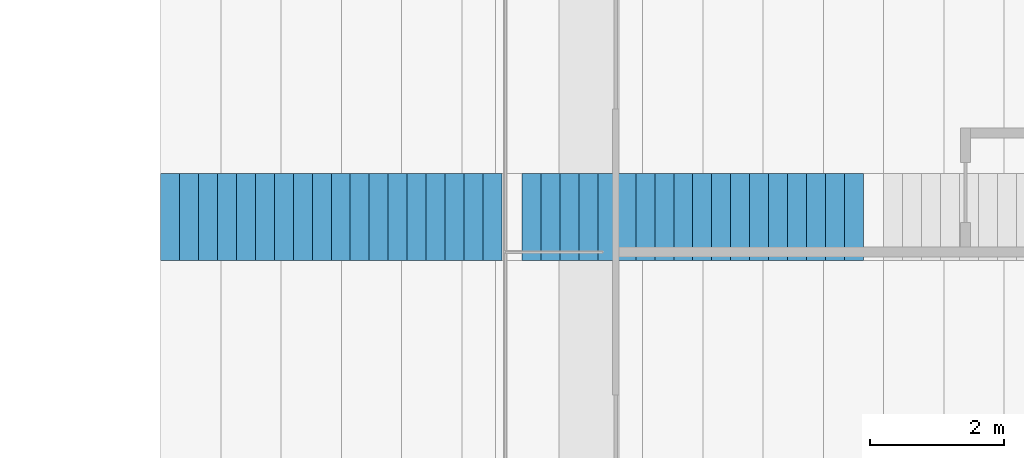
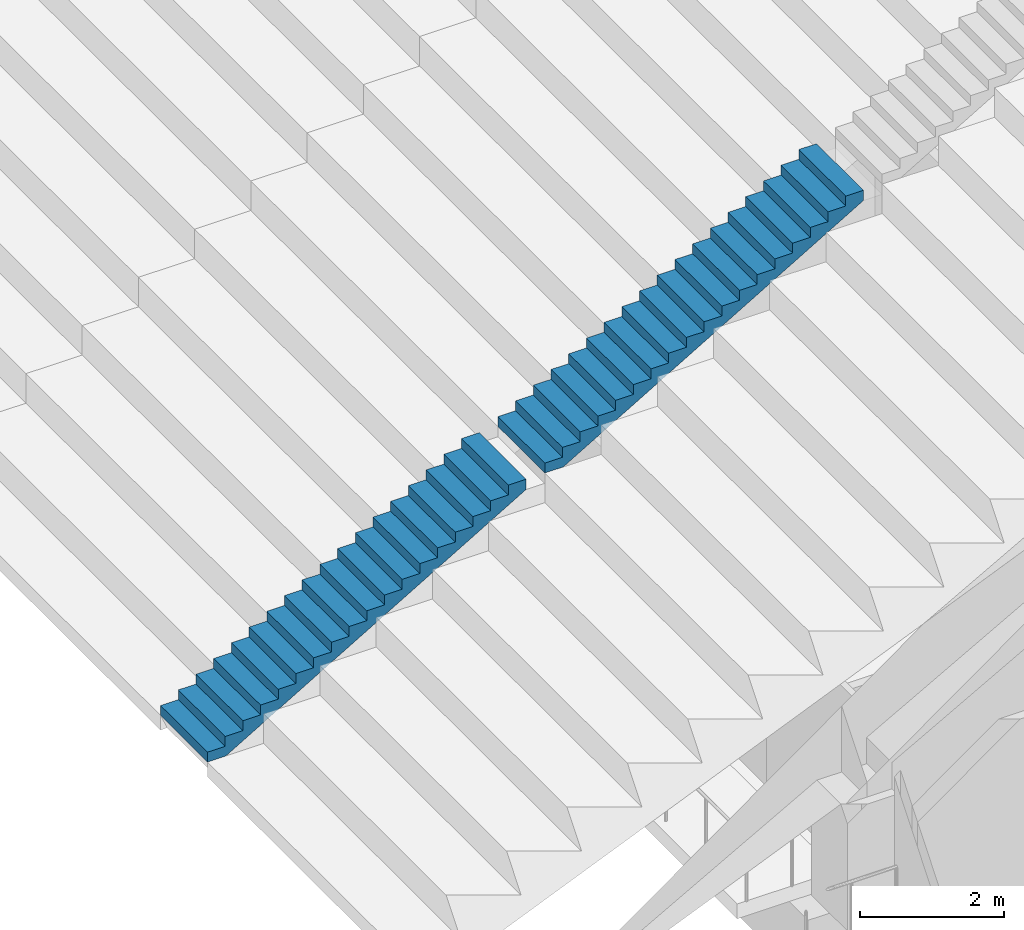
# One storey, part 179 of 249: 2 stair flights, 1 element without a shape of its own.
"""IFC4 building model written with IfcOpenShell, lengths in metres."""

from ifc_helpers import new_model, si_unit, direction, frame, origin, place, context, subcontext, project, spatial, faceted_brep, material, type_object, element, aggregate, save


model = new_model("IFC4")

# Units and contexts
model_context = context("Model", 3, precision=1e-05, world=origin(), true_north=direction((0.0, 1.0)))
body_context = subcontext(model_context, "Body", "Model", "MODEL_VIEW")
ifc_project = project(units=[si_unit("LENGTHUNIT", "METRE"), si_unit("AREAUNIT", "SQUARE_METRE"), si_unit("VOLUMEUNIT", "CUBIC_METRE"), si_unit("PLANEANGLEUNIT", "RADIAN"), si_unit("MASSUNIT", "GRAM", prefix="KILO")], contexts=[model_context])

# Site, building, storey
site_placement = place(None, origin())
site = spatial("IfcSite", under=ifc_project, at=site_placement, CompositionType="ELEMENT")
building_placement = place(site_placement, origin())
building = spatial("IfcBuilding", under=site, at=building_placement, Name="Ogive Plaza Stadium", CompositionType="ELEMENT")
storey_placement = place(building_placement, frame((0.0, 0.0, 13.5)))
storey = spatial("IfcBuildingStorey", under=building, at=storey_placement, Name="L03", CompositionType="ELEMENT", Elevation=13.5)

# Stair, stair flights
ifc_material_1 = material(Name="Concrete C40/50", Category="concrete")
stair_type = type_object("IfcStairType", Name="Aisle stair", PredefinedType="STRAIGHT_RUN_STAIR", material=ifc_material_1)
stair_placement = place(storey_placement, origin())
stair = element("IfcStair", 1, at=stair_placement, inside=storey, type_object=stair_type, Name="Aisle stair SA05U", PredefinedType="STRAIGHT_RUN_STAIR")
ifc_material_2 = material(Name="Concrete C40/50", Category="concrete")
stair_flight_type = type_object("IfcStairFlightType", Name="Aisle stair flight", PredefinedType="STRAIGHT", material=ifc_material_2)
stair_flight_1_placement = place(storey_placement, frame((55.5, -15.0, 0.5), z_axis=(0.0, 0.0, 1.0), x_axis=(1.0, 0.0, 0.0)))
stair_flight_1 = element("IfcStairFlight", 2, at=stair_flight_1_placement, type_object=stair_flight_type, Name="SA05U flight 1", NumberOfRisers=18, NumberOfTreads=17, PredefinedType="STRAIGHT", RiserHeight=0.166666667, TreadLength=0.283333333, context=body_context, shape_type="Brep", body=[
    faceted_brep([(0.295654296875, -0.64990234375, 0.0), (5.10009765625, -0.64990234375, 2.826171875), (5.10009765625, -0.64990234375, 3.0), (4.816650390625, -0.64990234375, 3.0), (4.816650390625, -0.64990234375, 2.833251953125), (4.533447265625, -0.64990234375, 2.833251953125), (4.533447265625, -0.64990234375, 2.666748046875), (4.25, -0.64990234375, 2.666748046875), (4.25, -0.64990234375, 2.5), (3.966552734375, -0.64990234375, 2.5), (3.966552734375, -0.64990234375, 2.333251953125), (3.683349609375, -0.64990234375, 2.333251953125), (3.683349609375, -0.64990234375, 2.166748046875), (3.39990234375, -0.64990234375, 2.166748046875), (3.39990234375, -0.64990234375, 2.0), (3.11669921875, -0.64990234375, 2.0), (3.11669921875, -0.64990234375, 1.833251953125), (2.833251953125, -0.64990234375, 1.833251953125), (2.833251953125, -0.64990234375, 1.666748046875), (2.550048828125, -0.64990234375, 1.666748046875), (2.550048828125, -0.64990234375, 1.5), (2.2666015625, -0.64990234375, 1.5), (2.2666015625, -0.64990234375, 1.333251953125), (1.9833984375, -0.64990234375, 1.333251953125), (1.9833984375, -0.64990234375, 1.166748046875), (1.699951171875, -0.64990234375, 1.166748046875), (1.699951171875, -0.64990234375, 1.0), (1.416748046875, -0.64990234375, 1.0), (1.416748046875, -0.64990234375, 0.833251953125), (1.13330078125, -0.64990234375, 0.833251953125), (1.13330078125, -0.64990234375, 0.666748046875), (0.85009765625, -0.64990234375, 0.666748046875), (0.85009765625, -0.64990234375, 0.5), (0.566650390625, -0.64990234375, 0.5), (0.566650390625, -0.64990234375, 0.333251953125), (0.283447265625, -0.64990234375, 0.333251953125), (0.283447265625, -0.64990234375, 0.166748046875), (0.0, -0.64990234375, 0.166748046875), (0.0, -0.64990234375, 0.0), (0.0, 0.64990234375, 0.0), (0.0, 0.64990234375, 0.166748046875), (0.283447265625, 0.64990234375, 0.166748046875), (0.283447265625, 0.64990234375, 0.333251953125), (0.566650390625, 0.64990234375, 0.333251953125), (0.566650390625, 0.64990234375, 0.5), (0.85009765625, 0.64990234375, 0.5), (0.85009765625, 0.64990234375, 0.666748046875), (1.13330078125, 0.64990234375, 0.666748046875), (1.13330078125, 0.64990234375, 0.833251953125), (1.416748046875, 0.64990234375, 0.833251953125), (1.416748046875, 0.64990234375, 1.0), (1.699951171875, 0.64990234375, 1.0), (1.699951171875, 0.64990234375, 1.166748046875), (1.9833984375, 0.64990234375, 1.166748046875), (1.9833984375, 0.64990234375, 1.333251953125), (2.2666015625, 0.64990234375, 1.333251953125), (2.2666015625, 0.64990234375, 1.5), (2.550048828125, 0.64990234375, 1.5), (2.550048828125, 0.64990234375, 1.666748046875), (2.833251953125, 0.64990234375, 1.666748046875), (2.833251953125, 0.64990234375, 1.833251953125), (3.11669921875, 0.64990234375, 1.833251953125), (3.11669921875, 0.64990234375, 2.0), (3.39990234375, 0.64990234375, 2.0), (3.39990234375, 0.64990234375, 2.166748046875), (3.683349609375, 0.64990234375, 2.166748046875), (3.683349609375, 0.64990234375, 2.333251953125), (3.966552734375, 0.64990234375, 2.333251953125), (3.966552734375, 0.64990234375, 2.5), (4.25, 0.64990234375, 2.5), (4.25, 0.64990234375, 2.666748046875), (4.533447265625, 0.64990234375, 2.666748046875), (4.533447265625, 0.64990234375, 2.833251953125), (4.816650390625, 0.64990234375, 2.833251953125), (4.816650390625, 0.64990234375, 3.0), (5.10009765625, 0.64990234375, 3.0), (5.10009765625, 0.64990234375, 2.826171875), (0.295654296875, 0.64990234375, 0.0), (0.295654296875, -0.324951171875, 0.0), (5.10009765625, -0.324951171875, 2.826171875), (0.295654296875, 0.0, 0.0), (5.10009765625, 0.0, 2.826171875), (0.295654296875, 0.324951171875, 0.0), (5.10009765625, 0.324951171875, 2.826171875), (5.10009765625, -0.324951171875, 3.0), (5.10009765625, 0.0, 3.0), (5.10009765625, 0.324951171875, 3.0), (4.816650390625, -0.324951171875, 3.0), (4.816650390625, 0.0, 3.0), (4.816650390625, 0.324951171875, 3.0), (4.816650390625, -0.324951171875, 2.833251953125), (4.816650390625, 0.0, 2.833251953125), (4.816650390625, 0.324951171875, 2.833251953125), (4.533447265625, -0.324951171875, 2.833251953125), (4.533447265625, 0.0, 2.833251953125), (4.533447265625, 0.324951171875, 2.833251953125), (4.533447265625, -0.324951171875, 2.666748046875), (4.533447265625, 0.0, 2.666748046875), (4.533447265625, 0.324951171875, 2.666748046875), (4.25, -0.324951171875, 2.666748046875), (4.25, 0.0, 2.666748046875), (4.25, 0.324951171875, 2.666748046875), (4.25, -0.324951171875, 2.5), (4.25, 0.0, 2.5), (4.25, 0.324951171875, 2.5), (3.966552734375, -0.324951171875, 2.5), (3.966552734375, 0.0, 2.5), (3.966552734375, 0.324951171875, 2.5), (3.966552734375, -0.324951171875, 2.333251953125), (3.966552734375, 0.0, 2.333251953125), (3.966552734375, 0.324951171875, 2.333251953125), (3.683349609375, -0.324951171875, 2.333251953125), (3.683349609375, 0.0, 2.333251953125), (3.683349609375, 0.324951171875, 2.333251953125), (3.683349609375, -0.324951171875, 2.166748046875), (3.683349609375, 0.0, 2.166748046875), (3.683349609375, 0.324951171875, 2.166748046875), (3.39990234375, -0.324951171875, 2.166748046875), (3.39990234375, 0.0, 2.166748046875), (3.39990234375, 0.324951171875, 2.166748046875), (3.39990234375, -0.324951171875, 2.0), (3.39990234375, 0.0, 2.0), (3.39990234375, 0.324951171875, 2.0), (3.11669921875, -0.324951171875, 2.0), (3.11669921875, 0.0, 2.0), (3.11669921875, 0.324951171875, 2.0), (3.11669921875, -0.324951171875, 1.833251953125), (3.11669921875, 0.0, 1.833251953125), (3.11669921875, 0.324951171875, 1.833251953125), (2.833251953125, -0.324951171875, 1.833251953125), (2.833251953125, 0.0, 1.833251953125), (2.833251953125, 0.324951171875, 1.833251953125), (2.833251953125, -0.324951171875, 1.666748046875), (2.833251953125, 0.0, 1.666748046875), (2.833251953125, 0.324951171875, 1.666748046875), (2.550048828125, -0.324951171875, 1.666748046875), (2.550048828125, 0.0, 1.666748046875), (2.550048828125, 0.324951171875, 1.666748046875), (2.550048828125, -0.324951171875, 1.5), (2.550048828125, 0.0, 1.5), (2.550048828125, 0.324951171875, 1.5), (2.2666015625, -0.324951171875, 1.5), (2.2666015625, 0.0, 1.5), (2.2666015625, 0.324951171875, 1.5), (2.2666015625, -0.324951171875, 1.333251953125), (2.2666015625, 0.0, 1.333251953125), (2.2666015625, 0.324951171875, 1.333251953125), (1.9833984375, -0.324951171875, 1.333251953125), (1.9833984375, 0.0, 1.333251953125), (1.9833984375, 0.324951171875, 1.333251953125), (1.9833984375, -0.324951171875, 1.166748046875), (1.9833984375, 0.0, 1.166748046875), (1.9833984375, 0.324951171875, 1.166748046875), (1.699951171875, -0.324951171875, 1.166748046875), (1.699951171875, 0.0, 1.166748046875), (1.699951171875, 0.324951171875, 1.166748046875), (1.699951171875, -0.324951171875, 1.0), (1.699951171875, 0.0, 1.0), (1.699951171875, 0.324951171875, 1.0), (1.416748046875, -0.324951171875, 1.0), (1.416748046875, 0.0, 1.0), (1.416748046875, 0.324951171875, 1.0), (1.416748046875, -0.324951171875, 0.833251953125), (1.416748046875, 0.0, 0.833251953125), (1.416748046875, 0.324951171875, 0.833251953125), (1.13330078125, -0.324951171875, 0.833251953125), (1.13330078125, 0.0, 0.833251953125), (1.13330078125, 0.324951171875, 0.833251953125), (1.13330078125, -0.324951171875, 0.666748046875), (1.13330078125, 0.0, 0.666748046875), (1.13330078125, 0.324951171875, 0.666748046875), (0.85009765625, -0.324951171875, 0.666748046875), (0.85009765625, 0.0, 0.666748046875), (0.85009765625, 0.324951171875, 0.666748046875), (0.85009765625, -0.324951171875, 0.5), (0.85009765625, 0.0, 0.5), (0.85009765625, 0.324951171875, 0.5), (0.566650390625, -0.324951171875, 0.5), (0.566650390625, 0.0, 0.5), (0.566650390625, 0.324951171875, 0.5), (0.566650390625, -0.324951171875, 0.333251953125), (0.566650390625, 0.0, 0.333251953125), (0.566650390625, 0.324951171875, 0.333251953125), (0.283447265625, -0.324951171875, 0.333251953125), (0.283447265625, 0.0, 0.333251953125), (0.283447265625, 0.324951171875, 0.333251953125), (0.283447265625, -0.324951171875, 0.166748046875), (0.283447265625, 0.0, 0.166748046875), (0.283447265625, 0.324951171875, 0.166748046875), (0.0, -0.324951171875, 0.166748046875), (0.0, 0.0, 0.166748046875), (0.0, 0.324951171875, 0.166748046875), (0.0, -0.324951171875, 0.0), (0.0, 0.0, 0.0), (0.0, 0.324951171875, 0.0)], [[[0, 1, 2, 3, 4, 5, 6, 7, 8, 9, 10, 11, 12, 13, 14, 15, 16, 17, 18, 19, 20, 21, 22, 23, 24, 25, 26, 27, 28, 29, 30, 31, 32, 33, 34, 35, 36, 37, 38]], [[39, 40, 41, 42, 43, 44, 45, 46, 47, 48, 49, 50, 51, 52, 53, 54, 55, 56, 57, 58, 59, 60, 61, 62, 63, 64, 65, 66, 67, 68, 69, 70, 71, 72, 73, 74, 75, 76, 77]], [[0, 78, 79, 1]], [[78, 80, 81, 79]], [[80, 82, 83, 81]], [[82, 77, 76, 83]], [[1, 79, 84, 2]], [[79, 81, 85, 84]], [[81, 83, 86, 85]], [[83, 76, 75, 86]], [[2, 84, 87, 3]], [[84, 85, 88, 87]], [[85, 86, 89, 88]], [[86, 75, 74, 89]], [[3, 87, 90, 4]], [[87, 88, 91, 90]], [[88, 89, 92, 91]], [[89, 74, 73, 92]], [[4, 90, 93, 5]], [[90, 91, 94, 93]], [[91, 92, 95, 94]], [[92, 73, 72, 95]], [[5, 93, 96, 6]], [[93, 94, 97, 96]], [[94, 95, 98, 97]], [[95, 72, 71, 98]], [[6, 96, 99, 7]], [[96, 97, 100, 99]], [[97, 98, 101, 100]], [[98, 71, 70, 101]], [[7, 99, 102, 8]], [[99, 100, 103, 102]], [[100, 101, 104, 103]], [[101, 70, 69, 104]], [[8, 102, 105, 9]], [[102, 103, 106, 105]], [[103, 104, 107, 106]], [[104, 69, 68, 107]], [[9, 105, 108, 10]], [[105, 106, 109, 108]], [[106, 107, 110, 109]], [[107, 68, 67, 110]], [[10, 108, 111, 11]], [[108, 109, 112, 111]], [[109, 110, 113, 112]], [[110, 67, 66, 113]], [[11, 111, 114, 12]], [[111, 112, 115, 114]], [[112, 113, 116, 115]], [[113, 66, 65, 116]], [[12, 114, 117, 13]], [[114, 115, 118, 117]], [[115, 116, 119, 118]], [[116, 65, 64, 119]], [[13, 117, 120, 14]], [[117, 118, 121, 120]], [[118, 119, 122, 121]], [[119, 64, 63, 122]], [[14, 120, 123, 15]], [[120, 121, 124, 123]], [[121, 122, 125, 124]], [[122, 63, 62, 125]], [[15, 123, 126, 16]], [[123, 124, 127, 126]], [[124, 125, 128, 127]], [[125, 62, 61, 128]], [[16, 126, 129, 17]], [[126, 127, 130, 129]], [[127, 128, 131, 130]], [[128, 61, 60, 131]], [[17, 129, 132, 18]], [[129, 130, 133, 132]], [[130, 131, 134, 133]], [[131, 60, 59, 134]], [[18, 132, 135, 19]], [[132, 133, 136, 135]], [[133, 134, 137, 136]], [[134, 59, 58, 137]], [[19, 135, 138, 20]], [[135, 136, 139, 138]], [[136, 137, 140, 139]], [[137, 58, 57, 140]], [[20, 138, 141, 21]], [[138, 139, 142, 141]], [[139, 140, 143, 142]], [[140, 57, 56, 143]], [[21, 141, 144, 22]], [[141, 142, 145, 144]], [[142, 143, 146, 145]], [[143, 56, 55, 146]], [[22, 144, 147, 23]], [[144, 145, 148, 147]], [[145, 146, 149, 148]], [[146, 55, 54, 149]], [[23, 147, 150, 24]], [[147, 148, 151, 150]], [[148, 149, 152, 151]], [[149, 54, 53, 152]], [[24, 150, 153, 25]], [[150, 151, 154, 153]], [[151, 152, 155, 154]], [[152, 53, 52, 155]], [[25, 153, 156, 26]], [[153, 154, 157, 156]], [[154, 155, 158, 157]], [[155, 52, 51, 158]], [[26, 156, 159, 27]], [[156, 157, 160, 159]], [[157, 158, 161, 160]], [[158, 51, 50, 161]], [[27, 159, 162, 28]], [[159, 160, 163, 162]], [[160, 161, 164, 163]], [[161, 50, 49, 164]], [[28, 162, 165, 29]], [[162, 163, 166, 165]], [[163, 164, 167, 166]], [[164, 49, 48, 167]], [[29, 165, 168, 30]], [[165, 166, 169, 168]], [[166, 167, 170, 169]], [[167, 48, 47, 170]], [[30, 168, 171, 31]], [[168, 169, 172, 171]], [[169, 170, 173, 172]], [[170, 47, 46, 173]], [[31, 171, 174, 32]], [[171, 172, 175, 174]], [[172, 173, 176, 175]], [[173, 46, 45, 176]], [[32, 174, 177, 33]], [[174, 175, 178, 177]], [[175, 176, 179, 178]], [[176, 45, 44, 179]], [[33, 177, 180, 34]], [[177, 178, 181, 180]], [[178, 179, 182, 181]], [[179, 44, 43, 182]], [[34, 180, 183, 35]], [[180, 181, 184, 183]], [[181, 182, 185, 184]], [[182, 43, 42, 185]], [[35, 183, 186, 36]], [[183, 184, 187, 186]], [[184, 185, 188, 187]], [[185, 42, 41, 188]], [[36, 186, 189, 37]], [[186, 187, 190, 189]], [[187, 188, 191, 190]], [[188, 41, 40, 191]], [[37, 189, 192, 38]], [[189, 190, 193, 192]], [[190, 191, 194, 193]], [[191, 40, 39, 194]], [[38, 192, 78, 0]], [[192, 193, 80, 78]], [[193, 194, 82, 80]], [[194, 39, 77, 82]]]),
])
stair_flight_2_placement = place(storey_placement, frame((60.89990234375, -15.0, 3.5), z_axis=(0.0, 0.0, 1.0), x_axis=(1.0, 0.0, 0.0)))
stair_flight_2 = element("IfcStairFlight", 3, at=stair_flight_2_placement, type_object=stair_flight_type, Name="SA05U flight 2", NumberOfRisers=18, NumberOfTreads=17, PredefinedType="STRAIGHT", RiserHeight=0.166666667, TreadLength=0.283333333, context=body_context, shape_type="Brep", body=[
    faceted_brep([(0.295654296875, -0.64990234375, 0.0), (5.10009765625, -0.64990234375, 2.826171875), (5.10009765625, -0.64990234375, 3.0), (4.816650390625, -0.64990234375, 3.0), (4.816650390625, -0.64990234375, 2.833251953125), (4.533447265625, -0.64990234375, 2.833251953125), (4.533447265625, -0.64990234375, 2.666748046875), (4.25, -0.64990234375, 2.666748046875), (4.25, -0.64990234375, 2.5), (3.966552734375, -0.64990234375, 2.5), (3.966552734375, -0.64990234375, 2.333251953125), (3.683349609375, -0.64990234375, 2.333251953125), (3.683349609375, -0.64990234375, 2.166748046875), (3.39990234375, -0.64990234375, 2.166748046875), (3.39990234375, -0.64990234375, 2.0), (3.11669921875, -0.64990234375, 2.0), (3.11669921875, -0.64990234375, 1.833251953125), (2.833251953125, -0.64990234375, 1.833251953125), (2.833251953125, -0.64990234375, 1.666748046875), (2.550048828125, -0.64990234375, 1.666748046875), (2.550048828125, -0.64990234375, 1.5), (2.2666015625, -0.64990234375, 1.5), (2.2666015625, -0.64990234375, 1.333251953125), (1.9833984375, -0.64990234375, 1.333251953125), (1.9833984375, -0.64990234375, 1.166748046875), (1.699951171875, -0.64990234375, 1.166748046875), (1.699951171875, -0.64990234375, 1.0), (1.416748046875, -0.64990234375, 1.0), (1.416748046875, -0.64990234375, 0.833251953125), (1.13330078125, -0.64990234375, 0.833251953125), (1.13330078125, -0.64990234375, 0.666748046875), (0.85009765625, -0.64990234375, 0.666748046875), (0.85009765625, -0.64990234375, 0.5), (0.566650390625, -0.64990234375, 0.5), (0.566650390625, -0.64990234375, 0.333251953125), (0.283447265625, -0.64990234375, 0.333251953125), (0.283447265625, -0.64990234375, 0.166748046875), (0.0, -0.64990234375, 0.166748046875), (0.0, -0.64990234375, 0.0), (0.0, 0.64990234375, 0.0), (0.0, 0.64990234375, 0.166748046875), (0.283447265625, 0.64990234375, 0.166748046875), (0.283447265625, 0.64990234375, 0.333251953125), (0.566650390625, 0.64990234375, 0.333251953125), (0.566650390625, 0.64990234375, 0.5), (0.85009765625, 0.64990234375, 0.5), (0.85009765625, 0.64990234375, 0.666748046875), (1.13330078125, 0.64990234375, 0.666748046875), (1.13330078125, 0.64990234375, 0.833251953125), (1.416748046875, 0.64990234375, 0.833251953125), (1.416748046875, 0.64990234375, 1.0), (1.699951171875, 0.64990234375, 1.0), (1.699951171875, 0.64990234375, 1.166748046875), (1.9833984375, 0.64990234375, 1.166748046875), (1.9833984375, 0.64990234375, 1.333251953125), (2.2666015625, 0.64990234375, 1.333251953125), (2.2666015625, 0.64990234375, 1.5), (2.550048828125, 0.64990234375, 1.5), (2.550048828125, 0.64990234375, 1.666748046875), (2.833251953125, 0.64990234375, 1.666748046875), (2.833251953125, 0.64990234375, 1.833251953125), (3.11669921875, 0.64990234375, 1.833251953125), (3.11669921875, 0.64990234375, 2.0), (3.39990234375, 0.64990234375, 2.0), (3.39990234375, 0.64990234375, 2.166748046875), (3.683349609375, 0.64990234375, 2.166748046875), (3.683349609375, 0.64990234375, 2.333251953125), (3.966552734375, 0.64990234375, 2.333251953125), (3.966552734375, 0.64990234375, 2.5), (4.25, 0.64990234375, 2.5), (4.25, 0.64990234375, 2.666748046875), (4.533447265625, 0.64990234375, 2.666748046875), (4.533447265625, 0.64990234375, 2.833251953125), (4.816650390625, 0.64990234375, 2.833251953125), (4.816650390625, 0.64990234375, 3.0), (5.10009765625, 0.64990234375, 3.0), (5.10009765625, 0.64990234375, 2.826171875), (0.295654296875, 0.64990234375, 0.0), (0.295654296875, -0.324951171875, 0.0), (5.10009765625, -0.324951171875, 2.826171875), (0.295654296875, 0.0, 0.0), (5.10009765625, 0.0, 2.826171875), (0.295654296875, 0.324951171875, 0.0), (5.10009765625, 0.324951171875, 2.826171875), (5.10009765625, -0.324951171875, 3.0), (5.10009765625, 0.0, 3.0), (5.10009765625, 0.324951171875, 3.0), (4.816650390625, -0.324951171875, 3.0), (4.816650390625, 0.0, 3.0), (4.816650390625, 0.324951171875, 3.0), (4.816650390625, -0.324951171875, 2.833251953125), (4.816650390625, 0.0, 2.833251953125), (4.816650390625, 0.324951171875, 2.833251953125), (4.533447265625, -0.324951171875, 2.833251953125), (4.533447265625, 0.0, 2.833251953125), (4.533447265625, 0.324951171875, 2.833251953125), (4.533447265625, -0.324951171875, 2.666748046875), (4.533447265625, 0.0, 2.666748046875), (4.533447265625, 0.324951171875, 2.666748046875), (4.25, -0.324951171875, 2.666748046875), (4.25, 0.0, 2.666748046875), (4.25, 0.324951171875, 2.666748046875), (4.25, -0.324951171875, 2.5), (4.25, 0.0, 2.5), (4.25, 0.324951171875, 2.5), (3.966552734375, -0.324951171875, 2.5), (3.966552734375, 0.0, 2.5), (3.966552734375, 0.324951171875, 2.5), (3.966552734375, -0.324951171875, 2.333251953125), (3.966552734375, 0.0, 2.333251953125), (3.966552734375, 0.324951171875, 2.333251953125), (3.683349609375, -0.324951171875, 2.333251953125), (3.683349609375, 0.0, 2.333251953125), (3.683349609375, 0.324951171875, 2.333251953125), (3.683349609375, -0.324951171875, 2.166748046875), (3.683349609375, 0.0, 2.166748046875), (3.683349609375, 0.324951171875, 2.166748046875), (3.39990234375, -0.324951171875, 2.166748046875), (3.39990234375, 0.0, 2.166748046875), (3.39990234375, 0.324951171875, 2.166748046875), (3.39990234375, -0.324951171875, 2.0), (3.39990234375, 0.0, 2.0), (3.39990234375, 0.324951171875, 2.0), (3.11669921875, -0.324951171875, 2.0), (3.11669921875, 0.0, 2.0), (3.11669921875, 0.324951171875, 2.0), (3.11669921875, -0.324951171875, 1.833251953125), (3.11669921875, 0.0, 1.833251953125), (3.11669921875, 0.324951171875, 1.833251953125), (2.833251953125, -0.324951171875, 1.833251953125), (2.833251953125, 0.0, 1.833251953125), (2.833251953125, 0.324951171875, 1.833251953125), (2.833251953125, -0.324951171875, 1.666748046875), (2.833251953125, 0.0, 1.666748046875), (2.833251953125, 0.324951171875, 1.666748046875), (2.550048828125, -0.324951171875, 1.666748046875), (2.550048828125, 0.0, 1.666748046875), (2.550048828125, 0.324951171875, 1.666748046875), (2.550048828125, -0.324951171875, 1.5), (2.550048828125, 0.0, 1.5), (2.550048828125, 0.324951171875, 1.5), (2.2666015625, -0.324951171875, 1.5), (2.2666015625, 0.0, 1.5), (2.2666015625, 0.324951171875, 1.5), (2.2666015625, -0.324951171875, 1.333251953125), (2.2666015625, 0.0, 1.333251953125), (2.2666015625, 0.324951171875, 1.333251953125), (1.9833984375, -0.324951171875, 1.333251953125), (1.9833984375, 0.0, 1.333251953125), (1.9833984375, 0.324951171875, 1.333251953125), (1.9833984375, -0.324951171875, 1.166748046875), (1.9833984375, 0.0, 1.166748046875), (1.9833984375, 0.324951171875, 1.166748046875), (1.699951171875, -0.324951171875, 1.166748046875), (1.699951171875, 0.0, 1.166748046875), (1.699951171875, 0.324951171875, 1.166748046875), (1.699951171875, -0.324951171875, 1.0), (1.699951171875, 0.0, 1.0), (1.699951171875, 0.324951171875, 1.0), (1.416748046875, -0.324951171875, 1.0), (1.416748046875, 0.0, 1.0), (1.416748046875, 0.324951171875, 1.0), (1.416748046875, -0.324951171875, 0.833251953125), (1.416748046875, 0.0, 0.833251953125), (1.416748046875, 0.324951171875, 0.833251953125), (1.13330078125, -0.324951171875, 0.833251953125), (1.13330078125, 0.0, 0.833251953125), (1.13330078125, 0.324951171875, 0.833251953125), (1.13330078125, -0.324951171875, 0.666748046875), (1.13330078125, 0.0, 0.666748046875), (1.13330078125, 0.324951171875, 0.666748046875), (0.85009765625, -0.324951171875, 0.666748046875), (0.85009765625, 0.0, 0.666748046875), (0.85009765625, 0.324951171875, 0.666748046875), (0.85009765625, -0.324951171875, 0.5), (0.85009765625, 0.0, 0.5), (0.85009765625, 0.324951171875, 0.5), (0.566650390625, -0.324951171875, 0.5), (0.566650390625, 0.0, 0.5), (0.566650390625, 0.324951171875, 0.5), (0.566650390625, -0.324951171875, 0.333251953125), (0.566650390625, 0.0, 0.333251953125), (0.566650390625, 0.324951171875, 0.333251953125), (0.283447265625, -0.324951171875, 0.333251953125), (0.283447265625, 0.0, 0.333251953125), (0.283447265625, 0.324951171875, 0.333251953125), (0.283447265625, -0.324951171875, 0.166748046875), (0.283447265625, 0.0, 0.166748046875), (0.283447265625, 0.324951171875, 0.166748046875), (0.0, -0.324951171875, 0.166748046875), (0.0, 0.0, 0.166748046875), (0.0, 0.324951171875, 0.166748046875), (0.0, -0.324951171875, 0.0), (0.0, 0.0, 0.0), (0.0, 0.324951171875, 0.0)], [[[0, 1, 2, 3, 4, 5, 6, 7, 8, 9, 10, 11, 12, 13, 14, 15, 16, 17, 18, 19, 20, 21, 22, 23, 24, 25, 26, 27, 28, 29, 30, 31, 32, 33, 34, 35, 36, 37, 38]], [[39, 40, 41, 42, 43, 44, 45, 46, 47, 48, 49, 50, 51, 52, 53, 54, 55, 56, 57, 58, 59, 60, 61, 62, 63, 64, 65, 66, 67, 68, 69, 70, 71, 72, 73, 74, 75, 76, 77]], [[0, 78, 79, 1]], [[78, 80, 81, 79]], [[80, 82, 83, 81]], [[82, 77, 76, 83]], [[1, 79, 84, 2]], [[79, 81, 85, 84]], [[81, 83, 86, 85]], [[83, 76, 75, 86]], [[2, 84, 87, 3]], [[84, 85, 88, 87]], [[85, 86, 89, 88]], [[86, 75, 74, 89]], [[3, 87, 90, 4]], [[87, 88, 91, 90]], [[88, 89, 92, 91]], [[89, 74, 73, 92]], [[4, 90, 93, 5]], [[90, 91, 94, 93]], [[91, 92, 95, 94]], [[92, 73, 72, 95]], [[5, 93, 96, 6]], [[93, 94, 97, 96]], [[94, 95, 98, 97]], [[95, 72, 71, 98]], [[6, 96, 99, 7]], [[96, 97, 100, 99]], [[97, 98, 101, 100]], [[98, 71, 70, 101]], [[7, 99, 102, 8]], [[99, 100, 103, 102]], [[100, 101, 104, 103]], [[101, 70, 69, 104]], [[8, 102, 105, 9]], [[102, 103, 106, 105]], [[103, 104, 107, 106]], [[104, 69, 68, 107]], [[9, 105, 108, 10]], [[105, 106, 109, 108]], [[106, 107, 110, 109]], [[107, 68, 67, 110]], [[10, 108, 111, 11]], [[108, 109, 112, 111]], [[109, 110, 113, 112]], [[110, 67, 66, 113]], [[11, 111, 114, 12]], [[111, 112, 115, 114]], [[112, 113, 116, 115]], [[113, 66, 65, 116]], [[12, 114, 117, 13]], [[114, 115, 118, 117]], [[115, 116, 119, 118]], [[116, 65, 64, 119]], [[13, 117, 120, 14]], [[117, 118, 121, 120]], [[118, 119, 122, 121]], [[119, 64, 63, 122]], [[14, 120, 123, 15]], [[120, 121, 124, 123]], [[121, 122, 125, 124]], [[122, 63, 62, 125]], [[15, 123, 126, 16]], [[123, 124, 127, 126]], [[124, 125, 128, 127]], [[125, 62, 61, 128]], [[16, 126, 129, 17]], [[126, 127, 130, 129]], [[127, 128, 131, 130]], [[128, 61, 60, 131]], [[17, 129, 132, 18]], [[129, 130, 133, 132]], [[130, 131, 134, 133]], [[131, 60, 59, 134]], [[18, 132, 135, 19]], [[132, 133, 136, 135]], [[133, 134, 137, 136]], [[134, 59, 58, 137]], [[19, 135, 138, 20]], [[135, 136, 139, 138]], [[136, 137, 140, 139]], [[137, 58, 57, 140]], [[20, 138, 141, 21]], [[138, 139, 142, 141]], [[139, 140, 143, 142]], [[140, 57, 56, 143]], [[21, 141, 144, 22]], [[141, 142, 145, 144]], [[142, 143, 146, 145]], [[143, 56, 55, 146]], [[22, 144, 147, 23]], [[144, 145, 148, 147]], [[145, 146, 149, 148]], [[146, 55, 54, 149]], [[23, 147, 150, 24]], [[147, 148, 151, 150]], [[148, 149, 152, 151]], [[149, 54, 53, 152]], [[24, 150, 153, 25]], [[150, 151, 154, 153]], [[151, 152, 155, 154]], [[152, 53, 52, 155]], [[25, 153, 156, 26]], [[153, 154, 157, 156]], [[154, 155, 158, 157]], [[155, 52, 51, 158]], [[26, 156, 159, 27]], [[156, 157, 160, 159]], [[157, 158, 161, 160]], [[158, 51, 50, 161]], [[27, 159, 162, 28]], [[159, 160, 163, 162]], [[160, 161, 164, 163]], [[161, 50, 49, 164]], [[28, 162, 165, 29]], [[162, 163, 166, 165]], [[163, 164, 167, 166]], [[164, 49, 48, 167]], [[29, 165, 168, 30]], [[165, 166, 169, 168]], [[166, 167, 170, 169]], [[167, 48, 47, 170]], [[30, 168, 171, 31]], [[168, 169, 172, 171]], [[169, 170, 173, 172]], [[170, 47, 46, 173]], [[31, 171, 174, 32]], [[171, 172, 175, 174]], [[172, 173, 176, 175]], [[173, 46, 45, 176]], [[32, 174, 177, 33]], [[174, 175, 178, 177]], [[175, 176, 179, 178]], [[176, 45, 44, 179]], [[33, 177, 180, 34]], [[177, 178, 181, 180]], [[178, 179, 182, 181]], [[179, 44, 43, 182]], [[34, 180, 183, 35]], [[180, 181, 184, 183]], [[181, 182, 185, 184]], [[182, 43, 42, 185]], [[35, 183, 186, 36]], [[183, 184, 187, 186]], [[184, 185, 188, 187]], [[185, 42, 41, 188]], [[36, 186, 189, 37]], [[186, 187, 190, 189]], [[187, 188, 191, 190]], [[188, 41, 40, 191]], [[37, 189, 192, 38]], [[189, 190, 193, 192]], [[190, 191, 194, 193]], [[191, 40, 39, 194]], [[38, 192, 78, 0]], [[192, 193, 80, 78]], [[193, 194, 82, 80]], [[194, 39, 77, 82]]]),
])
aggregate(stair, [stair_flight_1, stair_flight_2])

save(model, "model.ifc")
